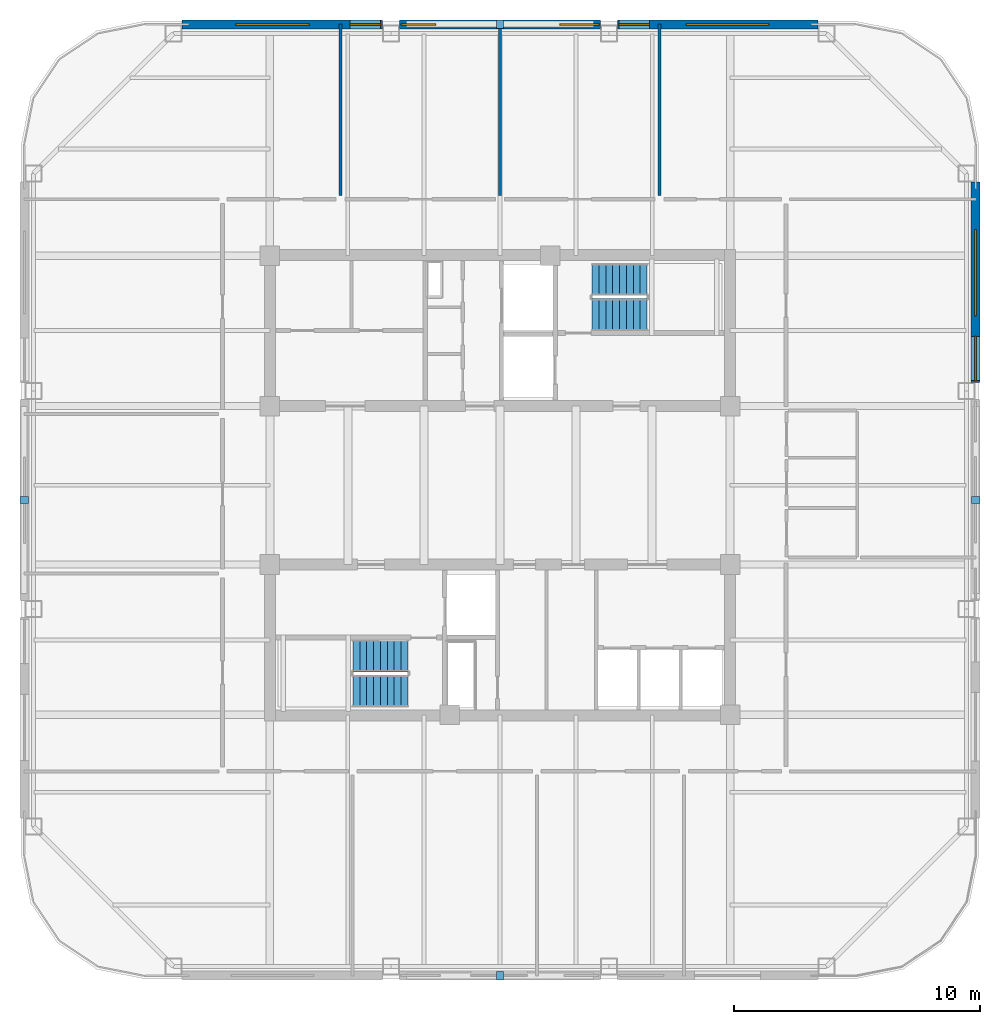
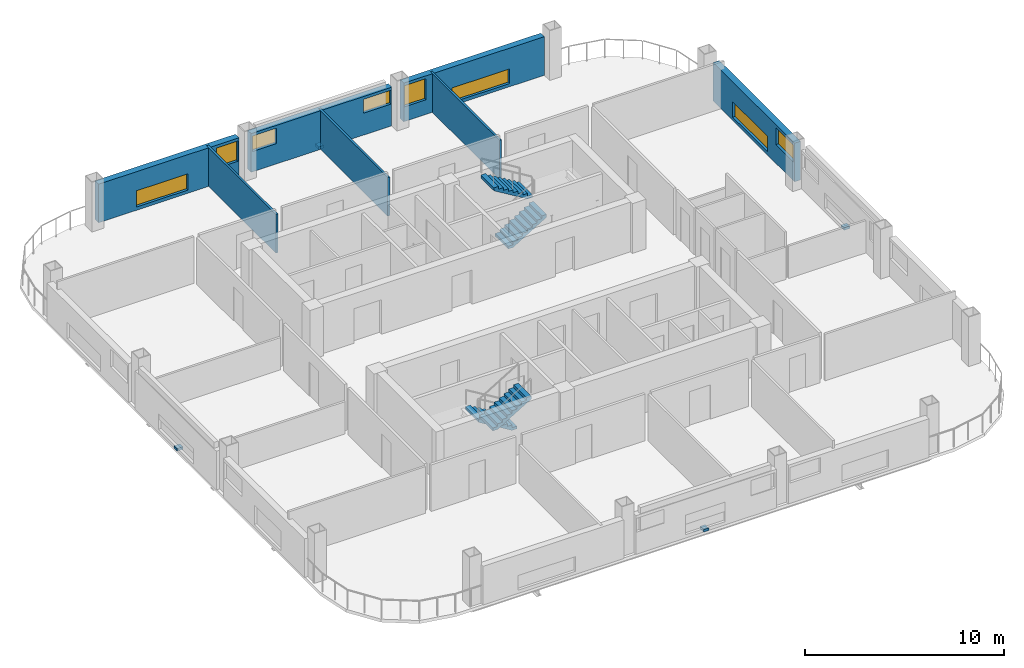
# One storey, part 5 of 8: 8 windows, 7 walls, 4 discrete accessories, 4 stair flights, 8 openings, 2 elements without a shape of their own.
"""IFC4 building model written with IfcOpenShell, lengths in metres."""

from ifc_helpers import new_model, si_unit, direction, frame, frame_2d, origin, origin_2d, place, context, subcontext, project, spatial, polyline, rectangle, outline, extrude, material, layer, layer_set, type_object, element, fill, aggregate, save


model = new_model("IFC4")

# Units and contexts
model_context = context("Model", 3, precision=1e-05, world=origin(), true_north=direction((0.0, 1.0)))
body_context = subcontext(model_context, "Body", "Model", "MODEL_VIEW")
ifc_project = project(units=[si_unit("LENGTHUNIT", "METRE"), si_unit("AREAUNIT", "SQUARE_METRE"), si_unit("VOLUMEUNIT", "CUBIC_METRE"), si_unit("PLANEANGLEUNIT", "RADIAN"), si_unit("MASSUNIT", "GRAM", prefix="KILO")], contexts=[model_context])

# Site, building, storey
site_placement = place(None, origin())
site = spatial("IfcSite", under=ifc_project, at=site_placement, CompositionType="ELEMENT")
building_placement = place(site_placement, origin())
building = spatial("IfcBuilding", under=site, at=building_placement, Name="Qhalaya Broadcast Tower", CompositionType="ELEMENT")
storey_placement = place(building_placement, frame((0.0, 0.0, 220.85009765625)))
storey = spatial("IfcBuildingStorey", under=building, at=storey_placement, Name="L65", CompositionType="ELEMENT", Elevation=220.85009765625)

# Wall, openings, windows
ifc_material_1 = material(Name="Precast Concrete C40/50", Category="concrete")
ifc_layer_1 = layer(ifc_material_1, 0.360107421875, Name="Precast Concrete C40/50")
ifc_layer_set_1 = layer_set([ifc_layer_1], Name="Precast Concrete C40/50")
wall_type_1 = type_object("IfcWallType", Name="Insulated Precast Terracotta Exterior Wall 360", PredefinedType="SOLIDWALL", material=ifc_layer_set_1)
wall_1_placement = place(storey_placement, frame((19.360107421875, 12.9619140625, 0.0), z_axis=(0.0, 0.0, 1.0), x_axis=(0.0, -1.0, 0.0)))
wall_1 = element("IfcWall", 1, at=wall_1_placement, inside=storey, type_object=wall_type_1, Name="L65 Exoskeleton Diagrid Infill Wall E1", PredefinedType="SOLIDWALL", context=body_context, shape_type="SweptSolid", body=[
    extrude(rectangle(XDim=8.1787109375, YDim=0.360107421875, at=frame_2d((4.08935546875, 0.0))), origin(), (0.0, 0.0, 1.0), 2.3740234375),
])
opening_1_placement = place(wall_1_placement, frame((1.949951171875, 0.0, 0.199951171875)))
opening_1 = element("IfcOpeningElement", 2, at=opening_1_placement, cuts=wall_1, Name="Opening W13", PredefinedType="OPENING", context=body_context, shape_type="SweptSolid", body=[
    extrude(rectangle(XDim=3.5, YDim=0.949951171875, at=frame_2d((1.75, 0.47509765625))), frame((0.0, 0.192138671875, 0.0), z_axis=(0.0, -1.0, 0.0), x_axis=(1.0, 0.0, 0.0)), (0.0, 0.0, 1.0), 0.384033203125),
])
opening_2_placement = place(wall_1_placement, frame((6.300048828125, 0.0, 1.14990234375)))
opening_2 = element("IfcOpeningElement", 3, at=opening_2_placement, cuts=wall_1, Name="Opening W13", PredefinedType="OPENING", context=body_context, shape_type="SweptSolid", body=[
    extrude(rectangle(XDim=1.800048828125, YDim=1.050048828125, at=frame_2d((0.89990234375, 0.52490234375))), frame((0.0, 0.192138671875, 0.0), z_axis=(0.0, -1.0, 0.0), x_axis=(1.0, 0.0, 0.0)), (0.0, 0.0, 1.0), 0.384033203125),
])
ifc_material_2 = material(Name="Solar-Control Low-E Triple Glazing", Category="glass")
window_type = type_object("IfcWindowType", Name="Upper-Block Diagrid Infill Window W13", PartitioningType="SINGLE_PANEL", PredefinedType="WINDOW", material=ifc_material_2)
window_1_placement = place(opening_1_placement, origin())
window_1 = element("IfcWindow", 4, at=window_1_placement, inside=storey, type_object=window_type, Name="L65 Diagrid Infill Window W13-E1", OverallHeight=0.949951171875, OverallWidth=3.5, PartitioningType="SINGLE_PANEL", PredefinedType="WINDOW", context=body_context, shape_type="SweptSolid", body=[
    extrude(rectangle(XDim=3.5, YDim=0.949951171875, at=frame_2d((1.75, 0.47509765625))), frame((0.0, 0.030029296875, 0.0), z_axis=(0.0, -1.0, 0.0), x_axis=(1.0, 0.0, 0.0)), (0.0, 0.0, 1.0), 0.06005859375),
])
fill(opening_1, window_1)
window_2_placement = place(opening_2_placement, origin())
window_2 = element("IfcWindow", 5, at=window_2_placement, inside=storey, type_object=window_type, Name="L65 Diagrid Infill Window W13-E2", OverallHeight=1.050048828125, OverallWidth=1.800048828125, PartitioningType="SINGLE_PANEL", PredefinedType="WINDOW", context=body_context, shape_type="SweptSolid", body=[
    extrude(rectangle(XDim=1.800048828125, YDim=1.050048828125, at=frame_2d((0.89990234375, 0.52490234375))), frame((0.0, 0.030029296875, 0.0), z_axis=(0.0, -1.0, 0.0), x_axis=(1.0, 0.0, 0.0)), (0.0, 0.0, 1.0), 0.06005859375),
])
fill(opening_2, window_2)

wall_2_placement = place(storey_placement, frame((-12.9619140625, 19.360107421875, 0.0), z_axis=(0.0, 0.0, 1.0), x_axis=(1.0, 0.0, 0.0)))
wall_2 = element("IfcWall", 6, at=wall_2_placement, inside=storey, type_object=wall_type_1, Name="L65 Exoskeleton Diagrid Infill Wall N1", PredefinedType="SOLIDWALL", context=body_context, shape_type="SweptSolid", body=[
    extrude(rectangle(XDim=8.1787109375, YDim=0.360107421875, at=frame_2d((4.08935546875, 0.0))), origin(), (0.0, 0.0, 1.0), 2.3740234375),
])
opening_3_placement = place(wall_2_placement, frame((2.199951171875, 0.0, 0.199951171875)))
opening_3 = element("IfcOpeningElement", 7, at=opening_3_placement, cuts=wall_2, Name="Opening W13", PredefinedType="OPENING", context=body_context, shape_type="SweptSolid", body=[
    extrude(rectangle(XDim=3.0, YDim=1.0, at=frame_2d((1.5, 0.5))), frame((0.0, 0.192138671875, 0.0), z_axis=(0.0, -1.0, 0.0), x_axis=(1.0, 0.0, 0.0)), (0.0, 0.0, 1.0), 0.384033203125),
])
opening_4_placement = place(wall_2_placement, frame((6.85009765625, 0.0, 0.949951171875)))
opening_4 = element("IfcOpeningElement", 8, at=opening_4_placement, cuts=wall_2, Name="Opening W13", PredefinedType="OPENING", context=body_context, shape_type="SweptSolid", body=[
    extrude(rectangle(XDim=1.25, YDim=1.25, at=frame_2d((0.625, 0.625))), frame((0.0, 0.192138671875, 0.0), z_axis=(0.0, -1.0, 0.0), x_axis=(1.0, 0.0, 0.0)), (0.0, 0.0, 1.0), 0.384033203125),
])
window_3_placement = place(opening_3_placement, origin())
window_3 = element("IfcWindow", 9, at=window_3_placement, inside=storey, type_object=window_type, Name="L65 Diagrid Infill Window W13-N1", OverallHeight=1.0, OverallWidth=3.0, PartitioningType="SINGLE_PANEL", PredefinedType="WINDOW", context=body_context, shape_type="SweptSolid", body=[
    extrude(rectangle(XDim=3.0, YDim=1.0, at=frame_2d((1.5, 0.5))), frame((0.0, 0.030029296875, 0.0), z_axis=(0.0, -1.0, 0.0), x_axis=(1.0, 0.0, 0.0)), (0.0, 0.0, 1.0), 0.06005859375),
])
fill(opening_3, window_3)
window_4_placement = place(opening_4_placement, origin())
window_4 = element("IfcWindow", 10, at=window_4_placement, inside=storey, type_object=window_type, Name="L65 Diagrid Infill Window W13-N2", OverallHeight=1.25, OverallWidth=1.25, PartitioningType="SINGLE_PANEL", PredefinedType="WINDOW", context=body_context, shape_type="SweptSolid", body=[
    extrude(rectangle(XDim=1.25, YDim=1.25, at=frame_2d((0.625, 0.625))), frame((0.0, 0.030029296875, 0.0), z_axis=(0.0, -1.0, 0.0), x_axis=(1.0, 0.0, 0.0)), (0.0, 0.0, 1.0), 0.06005859375),
])
fill(opening_4, window_4)

wall_3_placement = place(storey_placement, frame((-4.083251953125, 19.360107421875, 0.0), z_axis=(0.0, 0.0, 1.0), x_axis=(1.0, 0.0, 0.0)))
wall_3 = element("IfcWall", 11, at=wall_3_placement, inside=storey, type_object=wall_type_1, Name="L65 Exoskeleton Diagrid Infill Wall N2", PredefinedType="SOLIDWALL", context=body_context, shape_type="SweptSolid", body=[
    extrude(rectangle(XDim=8.16650390625, YDim=0.360107421875, at=frame_2d((4.083251953125, 0.0))), origin(), (0.0, 0.0, 1.0), 2.3740234375),
])
opening_5_placement = place(wall_3_placement, frame((0.071044921875, 0.0, 1.25)))
opening_5 = element("IfcOpeningElement", 12, at=opening_5_placement, cuts=wall_3, Name="Opening W13", PredefinedType="OPENING", context=body_context, shape_type="SweptSolid", body=[
    extrude(rectangle(XDim=1.39990234375, YDim=0.949951171875, at=frame_2d((0.699951171875, 0.47509765625))), frame((0.0, 0.192138671875, 0.0), z_axis=(0.0, -1.0, 0.0), x_axis=(1.0, 0.0, 0.0)), (0.0, 0.0, 1.0), 0.384033203125),
])
opening_6_placement = place(wall_3_placement, frame((6.52099609375, 0.0, 1.35009765625)))
opening_6 = element("IfcOpeningElement", 13, at=opening_6_placement, cuts=wall_3, Name="Opening W13", PredefinedType="OPENING", context=body_context, shape_type="SweptSolid", body=[
    extrude(rectangle(XDim=1.60009765625, YDim=0.85009765625, at=frame_2d((0.800048828125, 0.425048828125))), frame((0.0, 0.192138671875, 0.0), z_axis=(0.0, -1.0, 0.0), x_axis=(1.0, 0.0, 0.0)), (0.0, 0.0, 1.0), 0.384033203125),
])
window_5_placement = place(opening_5_placement, origin())
window_5 = element("IfcWindow", 14, at=window_5_placement, inside=storey, type_object=window_type, Name="L65 Diagrid Infill Window W13-N3", OverallHeight=0.949951171875, OverallWidth=1.39990234375, PartitioningType="SINGLE_PANEL", PredefinedType="WINDOW", context=body_context, shape_type="SweptSolid", body=[
    extrude(rectangle(XDim=1.39990234375, YDim=0.949951171875, at=frame_2d((0.699951171875, 0.47509765625))), frame((0.0, 0.030029296875, 0.0), z_axis=(0.0, -1.0, 0.0), x_axis=(1.0, 0.0, 0.0)), (0.0, 0.0, 1.0), 0.06005859375),
])
fill(opening_5, window_5)
window_6_placement = place(opening_6_placement, origin())
window_6 = element("IfcWindow", 15, at=window_6_placement, inside=storey, type_object=window_type, Name="L65 Diagrid Infill Window W13-N4", OverallHeight=0.85009765625, OverallWidth=1.60009765625, PartitioningType="SINGLE_PANEL", PredefinedType="WINDOW", context=body_context, shape_type="SweptSolid", body=[
    extrude(rectangle(XDim=1.60009765625, YDim=0.85009765625, at=frame_2d((0.800048828125, 0.425048828125))), frame((0.0, 0.030029296875, 0.0), z_axis=(0.0, -1.0, 0.0), x_axis=(1.0, 0.0, 0.0)), (0.0, 0.0, 1.0), 0.06005859375),
])
fill(opening_6, window_6)

wall_4_placement = place(storey_placement, frame((4.783203125, 19.360107421875, 0.0), z_axis=(0.0, 0.0, 1.0), x_axis=(1.0, 0.0, 0.0)))
wall_4 = element("IfcWall", 16, at=wall_4_placement, inside=storey, type_object=wall_type_1, Name="L65 Exoskeleton Diagrid Infill Wall N3", PredefinedType="SOLIDWALL", context=body_context, shape_type="SweptSolid", body=[
    extrude(rectangle(XDim=8.1787109375, YDim=0.360107421875, at=frame_2d((4.08935546875, 0.0))), origin(), (0.0, 0.0, 1.0), 2.3740234375),
])
opening_7_placement = place(wall_4_placement, frame((0.054931640625, 0.0, 0.89990234375)))
opening_7 = element("IfcOpeningElement", 17, at=opening_7_placement, cuts=wall_4, Name="Opening W13", PredefinedType="OPENING", context=body_context, shape_type="SweptSolid", body=[
    extrude(rectangle(XDim=1.25, YDim=1.300048828125, at=frame_2d((0.625, 0.64990234375))), frame((0.0, 0.192138671875, 0.0), z_axis=(0.0, -1.0, 0.0), x_axis=(1.0, 0.0, 0.0)), (0.0, 0.0, 1.0), 0.384033203125),
])
opening_8_placement = place(wall_4_placement, frame((2.804931640625, 0.0, 0.199951171875)))
opening_8 = element("IfcOpeningElement", 18, at=opening_8_placement, cuts=wall_4, Name="Opening W13", PredefinedType="OPENING", context=body_context, shape_type="SweptSolid", body=[
    extrude(rectangle(XDim=3.35009765625, YDim=0.89990234375, at=frame_2d((1.675048828125, 0.449951171875))), frame((0.0, 0.192138671875, 0.0), z_axis=(0.0, -1.0, 0.0), x_axis=(1.0, 0.0, 0.0)), (0.0, 0.0, 1.0), 0.384033203125),
])
window_7_placement = place(opening_7_placement, origin())
window_7 = element("IfcWindow", 19, at=window_7_placement, inside=storey, type_object=window_type, Name="L65 Diagrid Infill Window W13-N5", OverallHeight=1.300048828125, OverallWidth=1.25, PartitioningType="SINGLE_PANEL", PredefinedType="WINDOW", context=body_context, shape_type="SweptSolid", body=[
    extrude(rectangle(XDim=1.25, YDim=1.300048828125, at=frame_2d((0.625, 0.64990234375))), frame((0.0, 0.030029296875, 0.0), z_axis=(0.0, -1.0, 0.0), x_axis=(1.0, 0.0, 0.0)), (0.0, 0.0, 1.0), 0.06005859375),
])
fill(opening_7, window_7)
window_8_placement = place(opening_8_placement, origin())
window_8 = element("IfcWindow", 20, at=window_8_placement, inside=storey, type_object=window_type, Name="L65 Diagrid Infill Window W13-N6", OverallHeight=0.89990234375, OverallWidth=3.35009765625, PartitioningType="SINGLE_PANEL", PredefinedType="WINDOW", context=body_context, shape_type="SweptSolid", body=[
    extrude(rectangle(XDim=3.35009765625, YDim=0.89990234375, at=frame_2d((1.675048828125, 0.449951171875))), frame((0.0, 0.030029296875, 0.0), z_axis=(0.0, -1.0, 0.0), x_axis=(1.0, 0.0, 0.0)), (0.0, 0.0, 1.0), 0.06005859375),
])
fill(opening_8, window_8)

# Walls
ifc_material_3 = material(Name="Gypsum Acoustic Partition")
ifc_layer_2 = layer(ifc_material_3, 0.1201171875, Name="Gypsum Acoustic Partition")
ifc_layer_set_2 = layer_set([ifc_layer_2], Name="Gypsum Acoustic Partition")
wall_type_2 = type_object("IfcWallType", Name="Office, Booth & Sanitary Partition 120", PredefinedType="PARTITIONING", material=ifc_layer_set_2)
for number, where, z_axis, x_axis, name in (
    (21, (-6.5, 12.409912109375, 0.0), (0.0, 0.0, 1.0), (0.0, 1.0, 0.0), "L65 Partition Wall W-DIVN1"),
    (22, (0.0, 12.409912109375, 0.0), (0.0, 0.0, 1.0), (0.0, 1.0, 0.0), "L65 Partition Wall W-DIVN2"),
    (23, (6.5, 12.409912109375, 0.0), (0.0, 0.0, 1.0), (0.0, 1.0, 0.0), "L65 Partition Wall W-DIVN3"),
):
    element("IfcWall", number, at=place(storey_placement, frame(where, z_axis=z_axis, x_axis=x_axis)), inside=storey, type_object=wall_type_2, Name=name, PredefinedType="PARTITIONING", context=body_context, shape_type="SweptSolid", body=[
        extrude(rectangle(XDim=6.969970703125, YDim=0.1201171875, at=frame_2d((3.48486328125, 0.0))), origin(), (0.0, 0.0, 1.0), 2.380859375),
    ])

# Stair, stair flights
ifc_material_4 = material(Name="Concrete C40/50", Category="concrete")
stair_type = type_object("IfcStairType", Name="Protected Dogleg Core Stair 3150", PredefinedType="TWO_STRAIGHT_RUN_STAIR", material=ifc_material_4)
stair_1_placement = place(storey_placement, origin())
stair_1 = element("IfcStair", 24, at=stair_1_placement, inside=storey, type_object=stair_type, Name="L65 North Core Exit Stair ST-1", PredefinedType="TWO_STRAIGHT_RUN_STAIR")
stair_flight_type = type_object("IfcStairFlightType", Name="Precast Concrete Stair Flight 3150", PredefinedType="STRAIGHT", material=ifc_material_1)
stair_flight_1_placement = place(storey_placement, frame((3.75, 7.5400390625, 0.0), z_axis=(0.0, 0.0, 1.0), x_axis=(1.0, 0.0, 0.0)))
stair_flight_1 = element("IfcStairFlight", 25, at=stair_flight_1_placement, type_object=stair_flight_type, Name="ST-1 flight 1", NumberOfRisers=9, NumberOfTreads=8, PredefinedType="STRAIGHT", RiserHeight=0.169444444, TreadLength=0.28, context=body_context, shape_type="SweptSolid", body=[
    extrude(outline(polyline([(0.0, 0.0), (0.0, 0.16943359375), (0.280029296875, 0.16943359375), (0.280029296875, 0.3388671875), (0.56005859375, 0.3388671875), (0.56005859375, 0.50830078125), (0.840087890625, 0.50830078125), (0.840087890625, 0.677734375), (1.1201171875, 0.677734375), (1.1201171875, 0.84716796875), (1.39990234375, 0.84716796875), (1.39990234375, 1.0166015625), (1.679931640625, 1.0166015625), (1.679931640625, 1.18603515625), (1.9599609375, 1.18603515625), (1.9599609375, 1.35546875), (2.239990234375, 1.35546875), (2.239990234375, 1.52490234375), (2.239990234375, 1.180419921875), (0.28955078125, 0.0), (0.0, 0.0)])), frame((0.0, 0.66015625, 0.0), z_axis=(0.0, -1.0, 0.0), x_axis=(1.0, 0.0, 0.0)), (0.0, 0.0, 1.0), 1.320068359375),
])
stair_flight_2_placement = place(storey_placement, frame((5.989990234375, 8.97998046875, 1.52490234375), z_axis=(0.0, 0.0, 1.0), x_axis=(-1.0, 0.0, 0.0)))
stair_flight_2 = element("IfcStairFlight", 26, at=stair_flight_2_placement, type_object=stair_flight_type, Name="ST-1 flight 2", NumberOfRisers=9, NumberOfTreads=8, PredefinedType="STRAIGHT", RiserHeight=0.169444444, TreadLength=0.28, context=body_context, shape_type="SweptSolid", body=[
    extrude(outline(polyline([(0.0, 0.0), (0.0, 0.16943359375), (0.280029296875, 0.16943359375), (0.280029296875, 0.3388671875), (0.56005859375, 0.3388671875), (0.56005859375, 0.50830078125), (0.840087890625, 0.50830078125), (0.840087890625, 0.677734375), (1.1201171875, 0.677734375), (1.1201171875, 0.84716796875), (1.39990234375, 0.84716796875), (1.39990234375, 1.0166015625), (1.679931640625, 1.0166015625), (1.679931640625, 1.18603515625), (1.9599609375, 1.18603515625), (1.9599609375, 1.35546875), (2.239990234375, 1.35546875), (2.239990234375, 1.52490234375), (2.239990234375, 1.180419921875), (0.28955078125, 0.0), (0.0, 0.0)])), frame((0.0, 0.66015625, 0.0), z_axis=(0.0, -1.0, 0.0), x_axis=(1.0, 0.0, 0.0)), (0.0, 0.0, 1.0), 1.320068359375),
])
aggregate(stair_1, [stair_flight_1, stair_flight_2])

stair_2_placement = place(storey_placement, origin())
stair_2 = element("IfcStair", 27, at=stair_2_placement, inside=storey, type_object=stair_type, Name="L65 South Core Exit Stair ST-2", PredefinedType="TWO_STRAIGHT_RUN_STAIR")
stair_flight_3_placement = place(storey_placement, frame((-3.75, -6.340087890625, 0.0), z_axis=(0.0, 0.0, 1.0), x_axis=(-1.0, 0.0, 0.0)))
stair_flight_3 = element("IfcStairFlight", 28, at=stair_flight_3_placement, type_object=stair_flight_type, Name="ST-2 flight 1", NumberOfRisers=9, NumberOfTreads=8, PredefinedType="STRAIGHT", RiserHeight=0.169444444, TreadLength=0.28, context=body_context, shape_type="SweptSolid", body=[
    extrude(outline(polyline([(0.0, 0.0), (0.0, 0.16943359375), (0.280029296875, 0.16943359375), (0.280029296875, 0.3388671875), (0.56005859375, 0.3388671875), (0.56005859375, 0.50830078125), (0.840087890625, 0.50830078125), (0.840087890625, 0.677734375), (1.1201171875, 0.677734375), (1.1201171875, 0.84716796875), (1.39990234375, 0.84716796875), (1.39990234375, 1.0166015625), (1.679931640625, 1.0166015625), (1.679931640625, 1.18603515625), (1.9599609375, 1.18603515625), (1.9599609375, 1.35546875), (2.239990234375, 1.35546875), (2.239990234375, 1.52490234375), (2.239990234375, 1.180419921875), (0.28955078125, 0.0), (0.0, 0.0)])), frame((0.0, 0.66015625, 0.0), z_axis=(0.0, -1.0, 0.0), x_axis=(1.0, 0.0, 0.0)), (0.0, 0.0, 1.0), 1.320068359375),
])
stair_flight_4_placement = place(storey_placement, frame((-5.989990234375, -7.780029296875, 1.52490234375), z_axis=(0.0, 0.0, 1.0), x_axis=(1.0, 0.0, 0.0)))
stair_flight_4 = element("IfcStairFlight", 29, at=stair_flight_4_placement, type_object=stair_flight_type, Name="ST-2 flight 2", NumberOfRisers=9, NumberOfTreads=8, PredefinedType="STRAIGHT", RiserHeight=0.169444444, TreadLength=0.28, context=body_context, shape_type="SweptSolid", body=[
    extrude(outline(polyline([(0.0, 0.0), (0.0, 0.16943359375), (0.280029296875, 0.16943359375), (0.280029296875, 0.3388671875), (0.56005859375, 0.3388671875), (0.56005859375, 0.50830078125), (0.840087890625, 0.50830078125), (0.840087890625, 0.677734375), (1.1201171875, 0.677734375), (1.1201171875, 0.84716796875), (1.39990234375, 0.84716796875), (1.39990234375, 1.0166015625), (1.679931640625, 1.0166015625), (1.679931640625, 1.18603515625), (1.9599609375, 1.18603515625), (1.9599609375, 1.35546875), (2.239990234375, 1.35546875), (2.239990234375, 1.52490234375), (2.239990234375, 1.180419921875), (0.28955078125, 0.0), (0.0, 0.0)])), frame((0.0, 0.66015625, 0.0), z_axis=(0.0, -1.0, 0.0), x_axis=(1.0, 0.0, 0.0)), (0.0, 0.0, 1.0), 1.320068359375),
])
aggregate(stair_2, [stair_flight_3, stair_flight_4])

# Discrete accessories
ifc_material_5 = material(Name="Structural Steel ASTM A572 Grade 50", Category="steel")
discrete_accessory_type = type_object("IfcDiscreteAccessoryType", Name="Facade Baguette Support Bracket BRK-01", PredefinedType="BRACKET", material=ifc_material_5)
for number, where, z_axis, x_axis, name in (
    (30, (0.0, -19.3798828125, 0.0), (0.0, 0.0, 1.0), (1.0, 0.0, 0.0), "L65 Baguette Support Bracket S"),
    (31, (19.3798828125, 0.0, 0.0), (0.0, 0.0, 1.0), (0.0, 1.0, 0.0), "L65 Baguette Support Bracket E"),
    (32, (0.0, 19.3798828125, 0.0), (0.0, 0.0, 1.0), (-1.0, 0.0, 0.0), "L65 Baguette Support Bracket N"),
    (33, (-19.3798828125, 0.0, 0.0), (0.0, 0.0, 1.0), (0.0, -1.0, 0.0), "L65 Baguette Support Bracket W"),
):
    element("IfcDiscreteAccessory", number, at=place(storey_placement, frame(where, z_axis=z_axis, x_axis=x_axis)), inside=storey, type_object=discrete_accessory_type, Name=name, PredefinedType="BRACKET", context=body_context, shape_type="SweptSolid", body=[
        extrude(rectangle(XDim=0.300048828125, YDim=0.340087890625, at=origin_2d()), origin(), (0.0, 0.0, 1.0), 0.159912109375),
    ])

save(model, "model.ifc")
